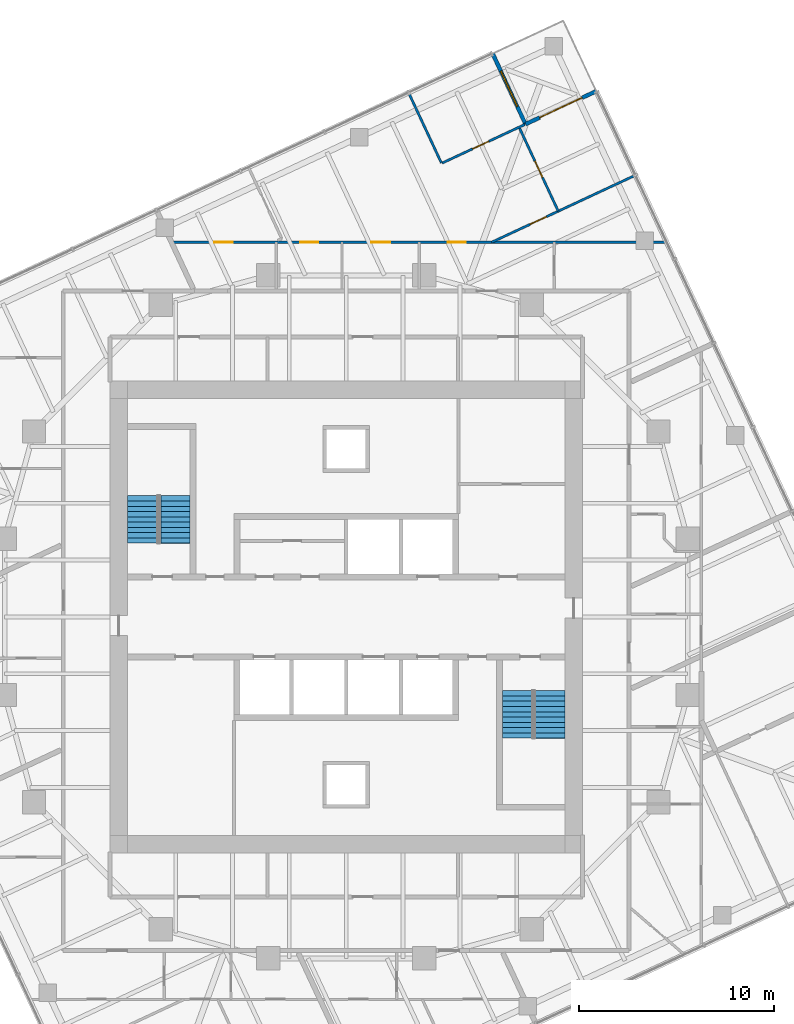
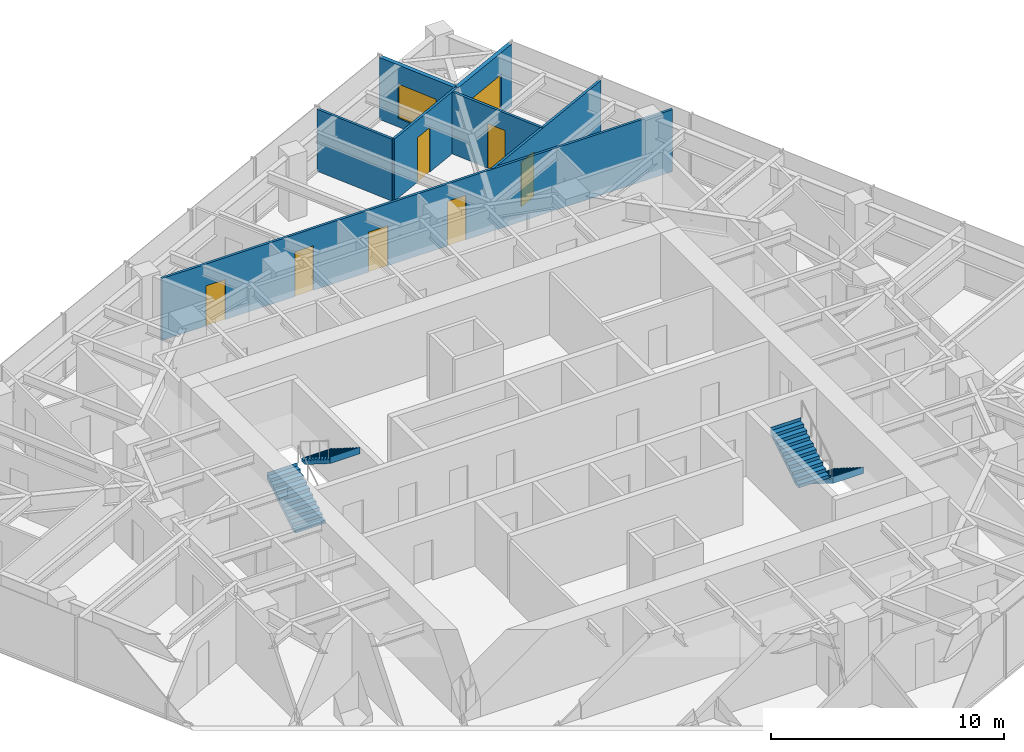
# One storey, part 12 of 13: 8 doors, 7 walls, 4 stair flights, 1 window, 9 openings, 2 elements without a shape of their own.
"""IFC4 building model written with IfcOpenShell, lengths in metres."""

from ifc_helpers import new_model, si_unit, direction, frame, frame_2d, origin, place, context, subcontext, project, spatial, polyline, rectangle, outline, extrude, material, layer, layer_set, type_object, element, fill, aggregate, save


model = new_model("IFC4")

# Units and contexts
model_context = context("Model", 3, precision=1e-05, world=origin(), true_north=direction((0.0, 1.0)))
body_context = subcontext(model_context, "Body", "Model", "MODEL_VIEW")
ifc_project = project(units=[si_unit("LENGTHUNIT", "METRE"), si_unit("AREAUNIT", "SQUARE_METRE"), si_unit("VOLUMEUNIT", "CUBIC_METRE"), si_unit("PLANEANGLEUNIT", "RADIAN"), si_unit("MASSUNIT", "GRAM", prefix="KILO")], contexts=[model_context])

# Site, building, storey
site_placement = place(None, origin())
site = spatial("IfcSite", under=ifc_project, at=site_placement, CompositionType="ELEMENT")
building_placement = place(site_placement, origin())
building = spatial("IfcBuilding", under=site, at=building_placement, Name="Torsade Residences", CompositionType="ELEMENT")
storey_placement = place(building_placement, frame((0.0, 0.0, 196.39990234375)))
storey = spatial("IfcBuildingStorey", under=building, at=storey_placement, Name="L54", CompositionType="ELEMENT", Elevation=196.39990234375)

# Wall, opening, door
ifc_material_1 = material(Name="Plasterboard on steel stud", Category="steel")
ifc_layer_1 = layer(ifc_material_1, 0.1201171875)
ifc_layer_set_1 = layer_set([ifc_layer_1], Name="Plasterboard on steel stud")
wall_type_1 = type_object("IfcWallType", Name="PARTITION 120", PredefinedType="PARTITIONING", material=ifc_layer_set_1)
wall_1_placement = place(storey_placement, frame((54.78662109375, 52.6181640625, 0.0), z_axis=(0.0, 0.0, 1.0), x_axis=(-0.906311876708, -0.422609491301, 0.0)))
wall_1 = element("IfcWall", 1, at=wall_1_placement, inside=storey, type_object=wall_type_1, Name="Partition L54", PredefinedType="PARTITIONING", context=body_context, shape_type="SweptSolid", body=[
    extrude(rectangle(XDim=8.08837890625, YDim=0.1201171875, at=frame_2d((4.044189453125, 0.0))), origin(), (0.0, 0.0, 1.0), 3.25),
])
opening_1_placement = place(wall_1_placement, frame((4.9970703125, 0.0, 0.0)))
opening_1 = element("IfcOpeningElement", 2, at=opening_1_placement, cuts=wall_1, Name="Opening D02", PredefinedType="OPENING", context=body_context, shape_type="SweptSolid", body=[
    extrude(rectangle(XDim=0.919921875, YDim=2.340087890625, at=frame_2d((0.4599609375, 1.169921875))), frame((0.0, 0.070068359375, 0.0), z_axis=(0.0, -1.0, 0.0), x_axis=(1.0, 0.0, 0.0)), (0.0, 0.0, 1.0), 0.14013671875),
])
ifc_material_2 = material(Name="Hollow-core timber door", Category="wood")
door_type_1 = type_object("IfcDoorType", Name="INTERNAL DOOR 920x2340", OperationType="NOTDEFINED", PredefinedType="DOOR", material=ifc_material_2)
door_1_placement = place(opening_1_placement, origin())
door_1 = element("IfcDoor", 3, at=door_1_placement, inside=storey, type_object=door_type_1, Name="Door Living room to Bedroom 3", OperationType="SINGLE_SWING_RIGHT", OverallHeight=2.340087890625, OverallWidth=0.919921875, PredefinedType="DOOR", context=body_context, shape_type="SweptSolid", body=[
    extrude(rectangle(XDim=0.919921875, YDim=2.340087890625, at=frame_2d((0.4599609375, 1.169921875))), frame((0.0, 0.02490234375, 0.0), z_axis=(0.0, -1.0, 0.0), x_axis=(1.0, 0.0, 0.0)), (0.0, 0.0, 1.0), 0.050048828125),
])
fill(opening_1, door_1)

# Wall, openings, doors
wall_2_placement = place(storey_placement, frame((31.046875, 49.199951171875, 0.0), z_axis=(0.0, 0.0, 1.0), x_axis=(1.0, 0.0, 0.0)))
wall_2 = element("IfcWall", 4, at=wall_2_placement, inside=storey, type_object=wall_type_1, Name="Partition L54", PredefinedType="PARTITIONING", context=body_context, shape_type="SweptSolid", body=[
    extrude(rectangle(XDim=25.33349609375, YDim=0.1201171875, at=frame_2d((12.666748046875, 0.0))), origin(), (0.0, 0.0, 1.0), 3.25),
])
opening_2_placement = place(wall_2_placement, frame((14.154052734375, 0.0, 0.0)))
opening_2 = element("IfcOpeningElement", 5, at=opening_2_placement, cuts=wall_2, Name="Opening D02", PredefinedType="OPENING", context=body_context, shape_type="SweptSolid", body=[
    extrude(rectangle(XDim=0.919921875, YDim=2.340087890625, at=frame_2d((0.4599609375, 1.169921875))), frame((0.0, 0.070068359375, 0.0), z_axis=(0.0, -1.0, 0.0), x_axis=(1.0, 0.0, 0.0)), (0.0, 0.0, 1.0), 0.14013671875),
])
opening_3_placement = place(wall_2_placement, frame((10.240234375, 0.0, 0.0)))
opening_3 = element("IfcOpeningElement", 6, at=opening_3_placement, cuts=wall_2, Name="Opening D05", PredefinedType="OPENING", context=body_context, shape_type="SweptSolid", body=[
    extrude(rectangle(XDim=0.9599609375, YDim=2.10009765625, at=frame_2d((0.47998046875, 1.050048828125))), frame((0.0, 0.070068359375, 0.0), z_axis=(0.0, -1.0, 0.0), x_axis=(1.0, 0.0, 0.0)), (0.0, 0.0, 1.0), 0.14013671875),
])
opening_4_placement = place(wall_2_placement, frame((6.595703125, 0.0, 0.0)))
opening_4 = element("IfcOpeningElement", 7, at=opening_4_placement, cuts=wall_2, Name="Opening D02", PredefinedType="OPENING", context=body_context, shape_type="SweptSolid", body=[
    extrude(rectangle(XDim=0.919921875, YDim=2.340087890625, at=frame_2d((0.4599609375, 1.169921875))), frame((0.0, 0.070068359375, 0.0), z_axis=(0.0, -1.0, 0.0), x_axis=(1.0, 0.0, 0.0)), (0.0, 0.0, 1.0), 0.14013671875),
])
opening_5_placement = place(wall_2_placement, frame((2.1904296875, 0.0, 0.0)))
opening_5 = element("IfcOpeningElement", 8, at=opening_5_placement, cuts=wall_2, Name="Opening D05", PredefinedType="OPENING", context=body_context, shape_type="SweptSolid", body=[
    extrude(rectangle(XDim=0.9599609375, YDim=2.10009765625, at=frame_2d((0.47998046875, 1.050048828125))), frame((0.0, 0.070068359375, 0.0), z_axis=(0.0, -1.0, 0.0), x_axis=(1.0, 0.0, 0.0)), (0.0, 0.0, 1.0), 0.14013671875),
])
ifc_material_3 = material(Name="Hollow-core timber door in a steel cavity frame", Category="steel")
door_type_2 = type_object("IfcDoorType", Name="BATHROOM CAVITY SLIDING DOOR 960", OperationType="SLIDING_TO_LEFT", PredefinedType="DOOR", material=ifc_material_3)
door_2_placement = place(opening_3_placement, origin())
door_2 = element("IfcDoor", 9, at=door_2_placement, inside=storey, type_object=door_type_2, Name="Door Living room to Laundry", OperationType="SLIDING_TO_LEFT", OverallHeight=2.10009765625, OverallWidth=0.9599609375, PredefinedType="DOOR", context=body_context, shape_type="SweptSolid", body=[
    extrude(rectangle(XDim=0.9599609375, YDim=2.10009765625, at=frame_2d((0.47998046875, 1.050048828125))), frame((0.0, 0.02490234375, 0.0), z_axis=(0.0, -1.0, 0.0), x_axis=(1.0, 0.0, 0.0)), (0.0, 0.0, 1.0), 0.050048828125),
])
fill(opening_3, door_2)
door_3_placement = place(opening_5_placement, origin())
door_3 = element("IfcDoor", 10, at=door_3_placement, inside=storey, type_object=door_type_2, Name="Door Study 2 to Ensuite", OperationType="SLIDING_TO_LEFT", OverallHeight=2.10009765625, OverallWidth=0.9599609375, PredefinedType="DOOR", context=body_context, shape_type="SweptSolid", body=[
    extrude(rectangle(XDim=0.9599609375, YDim=2.10009765625, at=frame_2d((0.47998046875, 1.050048828125))), frame((0.0, 0.02490234375, 0.0), z_axis=(0.0, -1.0, 0.0), x_axis=(1.0, 0.0, 0.0)), (0.0, 0.0, 1.0), 0.050048828125),
])
fill(opening_5, door_3)
door_4_placement = place(opening_2_placement, origin())
door_4 = element("IfcDoor", 11, at=door_4_placement, inside=storey, type_object=door_type_1, Name="Door Kitchen and dining to Living room", OperationType="SINGLE_SWING_RIGHT", OverallHeight=2.340087890625, OverallWidth=0.919921875, PredefinedType="DOOR", context=body_context, shape_type="SweptSolid", body=[
    extrude(rectangle(XDim=0.919921875, YDim=2.340087890625, at=frame_2d((0.4599609375, 1.169921875))), frame((0.0, 0.02490234375, 0.0), z_axis=(0.0, -1.0, 0.0), x_axis=(1.0, 0.0, 0.0)), (0.0, 0.0, 1.0), 0.050048828125),
])
fill(opening_2, door_4)
door_5_placement = place(opening_4_placement, origin())
door_5 = element("IfcDoor", 12, at=door_5_placement, inside=storey, type_object=door_type_1, Name="Door Living room to Study", OperationType="SINGLE_SWING_LEFT", OverallHeight=2.340087890625, OverallWidth=0.919921875, PredefinedType="DOOR", context=body_context, shape_type="SweptSolid", body=[
    extrude(rectangle(XDim=0.919921875, YDim=2.340087890625, at=frame_2d((0.4599609375, 1.169921875))), frame((0.0, 0.02490234375, 0.0), z_axis=(0.0, -1.0, 0.0), x_axis=(1.0, 0.0, 0.0)), (0.0, 0.0, 1.0), 0.050048828125),
])
fill(opening_4, door_5)

# Wall, opening, door
wall_3_placement = place(storey_placement, frame((48.8583984375, 55.094970703125, 0.0), z_axis=(0.0, 0.0, 1.0), x_axis=(0.422643468278, -0.906296032609, 0.0)))
wall_3 = element("IfcWall", 13, at=wall_3_placement, inside=storey, type_object=wall_type_1, Name="Partition L54", PredefinedType="PARTITIONING", context=body_context, shape_type="SweptSolid", body=[
    extrude(rectangle(XDim=4.75, YDim=0.1201171875, at=frame_2d((2.375, 0.0))), origin(), (0.0, 0.0, 1.0), 3.25),
])
opening_6_placement = place(wall_3_placement, frame((1.9150390625, 0.0, 0.0)))
opening_6 = element("IfcOpeningElement", 14, at=opening_6_placement, cuts=wall_3, Name="Opening D02", PredefinedType="OPENING", context=body_context, shape_type="SweptSolid", body=[
    extrude(rectangle(XDim=0.919921875, YDim=2.340087890625, at=frame_2d((0.4599609375, 1.169921875))), frame((0.0, 0.070068359375, 0.0), z_axis=(0.0, -1.0, 0.0), x_axis=(1.0, 0.0, 0.0)), (0.0, 0.0, 1.0), 0.14013671875),
])
door_6_placement = place(opening_6_placement, origin())
door_6 = element("IfcDoor", 15, at=door_6_placement, inside=storey, type_object=door_type_1, Name="Door Living room to Bedroom 1", OperationType="SINGLE_SWING_LEFT", OverallHeight=2.340087890625, OverallWidth=0.919921875, PredefinedType="DOOR", context=body_context, shape_type="SweptSolid", body=[
    extrude(rectangle(XDim=0.919921875, YDim=2.340087890625, at=frame_2d((0.4599609375, 1.169921875))), frame((0.0, 0.02490234375, 0.0), z_axis=(0.0, -1.0, 0.0), x_axis=(1.0, 0.0, 0.0)), (0.0, 0.0, 1.0), 0.050048828125),
])
fill(opening_6, door_6)

# Wall
wall_4_placement = place(storey_placement, frame((43.21142578125, 56.8310546875, 0.0), z_axis=(0.0, 0.0, 1.0), x_axis=(0.422671204118, -0.906283097718, 0.0)))
element("IfcWall", 16, at=wall_4_placement, inside=storey, type_object=wall_type_1, Name="Partition L54", PredefinedType="PARTITIONING", context=body_context, shape_type="SweptSolid", body=[
    extrude(rectangle(XDim=3.93017578125, YDim=0.1201171875, at=frame_2d((1.965087890625, 0.0))), origin(), (0.0, 0.0, 1.0), 3.25),
])

# Wall, opening, door
wall_5_placement = place(storey_placement, frame((44.912353515625, 53.2548828125, 0.0), z_axis=(0.0, 0.0, 1.0), x_axis=(0.906311042885, 0.42261127948, 0.0)))
wall_5 = element("IfcWall", 17, at=wall_5_placement, inside=storey, type_object=wall_type_1, Name="Partition L54", PredefinedType="PARTITIONING", context=body_context, shape_type="SweptSolid", body=[
    extrude(rectangle(XDim=4.679931640625, YDim=0.1201171875, at=frame_2d((2.33984375, 0.0))), origin(), (0.0, 0.0, 1.0), 3.25),
])
opening_7_placement = place(wall_5_placement, frame((1.717041015625, 0.0, 0.0)))
opening_7 = element("IfcOpeningElement", 18, at=opening_7_placement, cuts=wall_5, Name="Opening D02", PredefinedType="OPENING", context=body_context, shape_type="SweptSolid", body=[
    extrude(rectangle(XDim=0.919921875, YDim=2.340087890625, at=frame_2d((0.4599609375, 1.169921875))), frame((0.0, 0.070068359375, 0.0), z_axis=(0.0, -1.0, 0.0), x_axis=(1.0, 0.0, 0.0)), (0.0, 0.0, 1.0), 0.14013671875),
])
door_7_placement = place(opening_7_placement, origin())
door_7 = element("IfcDoor", 19, at=door_7_placement, inside=storey, type_object=door_type_1, Name="Door Living room to Bedroom 2", OperationType="SINGLE_SWING_LEFT", OverallHeight=2.340087890625, OverallWidth=0.919921875, PredefinedType="DOOR", context=body_context, shape_type="SweptSolid", body=[
    extrude(rectangle(XDim=0.919921875, YDim=2.340087890625, at=frame_2d((0.4599609375, 1.169921875))), frame((0.0, 0.02490234375, 0.0), z_axis=(0.0, -1.0, 0.0), x_axis=(1.0, 0.0, 0.0)), (0.0, 0.0, 1.0), 0.050048828125),
])
fill(opening_7, door_7)

ifc_material_4 = material(Name="Stone-faced precast concrete 40 MPa panel", Category="masonry")
ifc_layer_2 = layer(ifc_material_4, 0.199951171875)
ifc_layer_set_2 = layer_set([ifc_layer_2], Name="Stone-faced precast concrete 40 MPa panel")
wall_type_2 = type_object("IfcWallType", Name="TERRACE WALL 200", PredefinedType="SOLIDWALL", material=ifc_layer_set_2)
wall_6_placement = place(storey_placement, frame((52.8154296875, 56.940185546875, 0.0), z_axis=(0.0, 0.0, 1.0), x_axis=(-0.906289140828, -0.422658246362, 0.0)))
wall_6 = element("IfcWall", 20, at=wall_6_placement, inside=storey, type_object=wall_type_2, Name="Terrace wall L54 5", PredefinedType="SOLIDWALL", context=body_context, shape_type="SweptSolid", body=[
    extrude(rectangle(XDim=4.0, YDim=0.199951171875, at=frame_2d((2.0, 0.0))), origin(), (0.0, 0.0, 1.0), 3.25),
])
opening_8_placement = place(wall_6_placement, frame((0.800048828125, 0.0, 0.0)))
opening_8 = element("IfcOpeningElement", 21, at=opening_8_placement, cuts=wall_6, Name="Opening D10A", PredefinedType="OPENING", context=body_context, shape_type="SweptSolid", body=[
    extrude(rectangle(XDim=2.39990234375, YDim=2.10009765625, at=frame_2d((1.199951171875, 1.050048828125))), frame((0.0, 0.10986328125, 0.0), z_axis=(0.0, -1.0, 0.0), x_axis=(1.0, 0.0, 0.0)), (0.0, 0.0, 1.0), 0.219970703125),
])
ifc_material_5 = material(Name="Aluminium-framed glass door", Category="aluminium")
door_type_3 = type_object("IfcDoorType", Name="TERRACE SLIDING DOOR 2400x2100", OperationType="SLIDING_TO_LEFT", PredefinedType="DOOR", material=ifc_material_5)
door_8_placement = place(opening_8_placement, origin())
door_8 = element("IfcDoor", 22, at=door_8_placement, inside=storey, type_object=door_type_3, Name="Terrace door L54 5", OperationType="SLIDING_TO_LEFT", OverallHeight=2.10009765625, OverallWidth=2.39990234375, PredefinedType="DOOR", context=body_context, shape_type="SweptSolid", body=[
    extrude(rectangle(XDim=2.39990234375, YDim=2.10009765625, at=frame_2d((1.199951171875, 1.050048828125))), frame((0.0, 0.02490234375, 0.0), z_axis=(0.0, -1.0, 0.0), x_axis=(1.0, 0.0, 0.0)), (0.0, 0.0, 1.0), 0.050048828125),
])
fill(opening_8, door_8)

# Wall, opening, window
wall_7_placement = place(storey_placement, frame((49.190185546875, 55.24951171875, 0.0), z_axis=(0.0, 0.0, 1.0), x_axis=(-0.422658246362, 0.906289140828, 0.0)))
wall_7 = element("IfcWall", 23, at=wall_7_placement, inside=storey, type_object=wall_type_2, Name="Terrace wall L54 6", PredefinedType="SOLIDWALL", context=body_context, shape_type="SweptSolid", body=[
    extrude(rectangle(XDim=4.0, YDim=0.199951171875, at=frame_2d((2.0, 0.0))), origin(), (0.0, 0.0, 1.0), 3.25),
])
opening_9_placement = place(wall_7_placement, frame((1.0, 0.0, 0.449951171875)))
opening_9 = element("IfcOpeningElement", 24, at=opening_9_placement, cuts=wall_7, Name="Opening W1B", PredefinedType="OPENING", context=body_context, shape_type="SweptSolid", body=[
    extrude(rectangle(XDim=2.0, YDim=1.800048828125, at=frame_2d((1.0, 0.89990234375))), frame((0.0, 0.10986328125, 0.0), z_axis=(0.0, -1.0, 0.0), x_axis=(1.0, 0.0, 0.0)), (0.0, 0.0, 1.0), 0.219970703125),
])
ifc_material_6 = material(Name="Aluminium-framed glass window", Category="aluminium")
window_type = type_object("IfcWindowType", Name="TERRACE WINDOW 2000x1800", PartitioningType="SINGLE_PANEL", PredefinedType="WINDOW", material=ifc_material_6)
window_placement = place(opening_9_placement, origin())
window = element("IfcWindow", 25, at=window_placement, inside=storey, type_object=window_type, Name="Terrace window L54 6", OverallHeight=1.800048828125, OverallWidth=2.0, PartitioningType="SINGLE_PANEL", PredefinedType="WINDOW", context=body_context, shape_type="SweptSolid", body=[
    extrude(rectangle(XDim=2.0, YDim=1.800048828125, at=frame_2d((1.0, 0.89990234375))), frame((0.0, 0.030029296875, 0.0), z_axis=(0.0, -1.0, 0.0), x_axis=(1.0, 0.0, 0.0)), (0.0, 0.0, 1.0), 0.06005859375),
])
fill(opening_9, window)

# Stair, stair flights
ifc_material_7 = material(Name="Precast concrete 40 MPa", Category="concrete")
stair_type = type_object("IfcStairType", Name="HALF-TURN FIRE STAIR 1500x3400", PredefinedType="HALF_TURN_STAIR", material=ifc_material_7)
stair_1_placement = place(storey_placement, origin())
stair_1 = element("IfcStair", 26, at=stair_1_placement, inside=storey, type_object=stair_type, Name="Stair ST1 L54", PredefinedType="HALF_TURN_STAIR")
ifc_material_8 = material(Name="Precast concrete 40 MPa", Category="concrete")
stair_flight_type = type_object("IfcStairFlightType", Name="PRECAST STAIR FLIGHT 1500x1700", PredefinedType="STRAIGHT", material=ifc_material_8)
stair_flight_1_placement = place(storey_placement, frame((29.550048828125, 33.780029296875, 0.0), z_axis=(0.0, 0.0, 1.0), x_axis=(0.0, 1.0, 0.0)))
stair_flight_1 = element("IfcStairFlight", 27, at=stair_flight_1_placement, type_object=stair_flight_type, Name="ST1 flight 1", NumberOfRisers=10, NumberOfTreads=9, PredefinedType="STRAIGHT", RiserHeight=0.17, TreadLength=0.27, context=body_context, shape_type="SweptSolid", body=[
    extrude(outline(polyline([(0.0, 0.0), (0.0, 0.169921875), (0.27001953125, 0.169921875), (0.27001953125, 0.340087890625), (0.5400390625, 0.340087890625), (0.5400390625, 0.510009765625), (0.81005859375, 0.510009765625), (0.81005859375, 0.679931640625), (1.080078125, 0.679931640625), (1.080078125, 0.85009765625), (1.35009765625, 0.85009765625), (1.35009765625, 1.02001953125), (1.6201171875, 1.02001953125), (1.6201171875, 1.18994140625), (1.889892578125, 1.18994140625), (1.889892578125, 1.360107421875), (2.159912109375, 1.360107421875), (2.159912109375, 1.530029296875), (2.429931640625, 1.530029296875), (2.429931640625, 1.699951171875), (2.43994140625, 1.699951171875), (2.43994140625, 1.352783203125), (2.429931640625, 1.352783203125), (0.28125, 0.0), (0.0, 0.0)])), frame((0.0, 0.75, 0.0), z_axis=(0.0, -1.0, 0.0), x_axis=(1.0, 0.0, 0.0)), (0.0, 0.0, 1.0), 1.5),
])
stair_flight_2_placement = place(storey_placement, frame((31.25, 36.2099609375, 1.7001953125), z_axis=(0.0, 0.0, 1.0), x_axis=(0.0, -1.0, 0.0)))
stair_flight_2 = element("IfcStairFlight", 28, at=stair_flight_2_placement, type_object=stair_flight_type, Name="ST1 flight 2", NumberOfRisers=10, NumberOfTreads=9, PredefinedType="STRAIGHT", RiserHeight=0.17, TreadLength=0.27, context=body_context, shape_type="SweptSolid", body=[
    extrude(outline(polyline([(0.0, 0.0), (0.0, 0.169921875), (0.27001953125, 0.169921875), (0.27001953125, 0.340087890625), (0.5400390625, 0.340087890625), (0.5400390625, 0.510009765625), (0.81005859375, 0.510009765625), (0.81005859375, 0.679931640625), (1.080078125, 0.679931640625), (1.080078125, 0.85009765625), (1.35009765625, 0.85009765625), (1.35009765625, 1.02001953125), (1.6201171875, 1.02001953125), (1.6201171875, 1.18994140625), (1.889892578125, 1.18994140625), (1.889892578125, 1.360107421875), (2.159912109375, 1.360107421875), (2.159912109375, 1.530029296875), (2.429931640625, 1.530029296875), (2.429931640625, 1.699951171875), (2.43994140625, 1.699951171875), (2.43994140625, 1.352783203125), (2.429931640625, 1.352783203125), (0.28125, 0.0), (0.0, 0.0)])), frame((0.0, 0.75, 0.0), z_axis=(0.0, -1.0, 0.0), x_axis=(1.0, 0.0, 0.0)), (0.0, 0.0, 1.0), 1.5),
])
aggregate(stair_1, [stair_flight_1, stair_flight_2])

stair_2_placement = place(storey_placement, origin())
stair_2 = element("IfcStair", 29, at=stair_2_placement, inside=storey, type_object=stair_type, Name="Stair ST2 L54", PredefinedType="HALF_TURN_STAIR")
stair_flight_3_placement = place(storey_placement, frame((50.449951171875, 26.219970703125, 0.0), z_axis=(0.0, 0.0, 1.0), x_axis=(0.0, -1.0, 0.0)))
stair_flight_3 = element("IfcStairFlight", 30, at=stair_flight_3_placement, type_object=stair_flight_type, Name="ST2 flight 1", NumberOfRisers=10, NumberOfTreads=9, PredefinedType="STRAIGHT", RiserHeight=0.17, TreadLength=0.27, context=body_context, shape_type="SweptSolid", body=[
    extrude(outline(polyline([(0.0, 0.0), (0.0, 0.169921875), (0.27001953125, 0.169921875), (0.27001953125, 0.340087890625), (0.5400390625, 0.340087890625), (0.5400390625, 0.510009765625), (0.81005859375, 0.510009765625), (0.81005859375, 0.679931640625), (1.080078125, 0.679931640625), (1.080078125, 0.85009765625), (1.35009765625, 0.85009765625), (1.35009765625, 1.02001953125), (1.6201171875, 1.02001953125), (1.6201171875, 1.18994140625), (1.889892578125, 1.18994140625), (1.889892578125, 1.360107421875), (2.159912109375, 1.360107421875), (2.159912109375, 1.530029296875), (2.429931640625, 1.530029296875), (2.429931640625, 1.699951171875), (2.43994140625, 1.699951171875), (2.43994140625, 1.352783203125), (2.429931640625, 1.352783203125), (0.28125, 0.0), (0.0, 0.0)])), frame((0.0, 0.75, 0.0), z_axis=(0.0, -1.0, 0.0), x_axis=(1.0, 0.0, 0.0)), (0.0, 0.0, 1.0), 1.5),
])
stair_flight_4_placement = place(storey_placement, frame((48.75, 23.7900390625, 1.7001953125), z_axis=(0.0, 0.0, 1.0), x_axis=(0.0, 1.0, 0.0)))
stair_flight_4 = element("IfcStairFlight", 31, at=stair_flight_4_placement, type_object=stair_flight_type, Name="ST2 flight 2", NumberOfRisers=10, NumberOfTreads=9, PredefinedType="STRAIGHT", RiserHeight=0.17, TreadLength=0.27, context=body_context, shape_type="SweptSolid", body=[
    extrude(outline(polyline([(0.0, 0.0), (0.0, 0.169921875), (0.27001953125, 0.169921875), (0.27001953125, 0.340087890625), (0.5400390625, 0.340087890625), (0.5400390625, 0.510009765625), (0.81005859375, 0.510009765625), (0.81005859375, 0.679931640625), (1.080078125, 0.679931640625), (1.080078125, 0.85009765625), (1.35009765625, 0.85009765625), (1.35009765625, 1.02001953125), (1.6201171875, 1.02001953125), (1.6201171875, 1.18994140625), (1.889892578125, 1.18994140625), (1.889892578125, 1.360107421875), (2.159912109375, 1.360107421875), (2.159912109375, 1.530029296875), (2.429931640625, 1.530029296875), (2.429931640625, 1.699951171875), (2.43994140625, 1.699951171875), (2.43994140625, 1.352783203125), (2.429931640625, 1.352783203125), (0.28125, 0.0), (0.0, 0.0)])), frame((0.0, 0.75, 0.0), z_axis=(0.0, -1.0, 0.0), x_axis=(1.0, 0.0, 0.0)), (0.0, 0.0, 1.0), 1.5),
])
aggregate(stair_2, [stair_flight_3, stair_flight_4])

save(model, "model.ifc")
